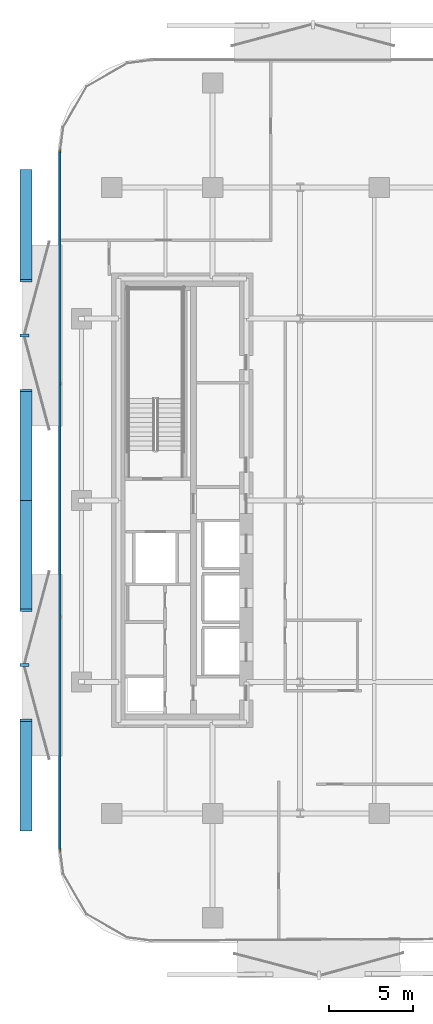
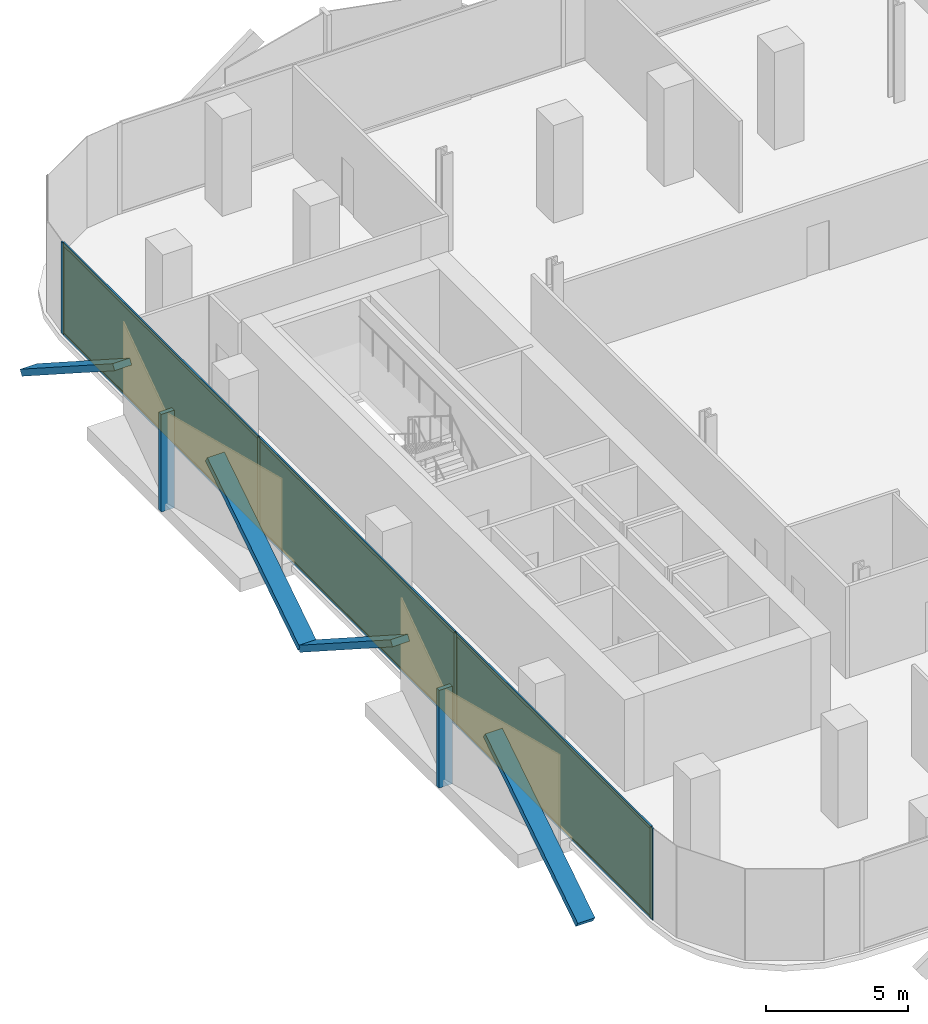
# One storey, part 8 of 15: 16 members, 3 plates, 1 curtain wall.
"""IFC4 building model written with IfcOpenShell, lengths in metres."""

from ifc_helpers import new_model, si_unit, direction, frame, frame_2d, origin, origin_2d, place, context, subcontext, project, spatial, rectangle, extrude, material, layer, layer_set, material_profile, profile_set, type_object, element, aggregate, save


model = new_model("IFC4")

# Units and contexts
model_context = context("Model", 3, precision=1e-05, world=origin(), true_north=direction((0.0, 1.0)))
body_context = subcontext(model_context, "Body", "Model", "MODEL_VIEW")
ifc_project = project(units=[si_unit("LENGTHUNIT", "METRE"), si_unit("AREAUNIT", "SQUARE_METRE"), si_unit("VOLUMEUNIT", "CUBIC_METRE"), si_unit("PLANEANGLEUNIT", "RADIAN"), si_unit("MASSUNIT", "GRAM", prefix="KILO")], contexts=[model_context])

# Member
ifc_material_1 = material(Name="Anodised Bronze Aluminium 6063-T6", Category="aluminium")
ifc_material_profile_1 = material_profile(ifc_material_1, rectangle(XDim=0.260009765625, YDim=0.699951171875, at=origin_2d()))
ifc_profile_set_1 = profile_set([ifc_material_profile_1], Name="Anodised Bronze Aluminium 6063-T6")
member_type_1 = type_object("IfcMemberType", Name="Bronze Diamond Solar-Screen Lattice Rib BDL-700", PredefinedType="MULLION", material=ifc_profile_set_1)
site_placement = place(None, origin())
building_placement = place(site_placement, origin())
storey_placement = place(building_placement, frame((0.0, 0.0, 143.60009765625)))
member_1_placement = place(storey_placement, frame((-25.5, -19.5908203125, -0.130126953125), z_axis=(0.0, 0.841066075866, 0.540932395062), x_axis=(0.0, -0.540932395062, 0.841066075866)))
member_1 = element("IfcMember", 1, at=member_1_placement, type_object=member_type_1, Name="L33 Bronze Diamond Solar Screen Lattice Rib 211A", PredefinedType="MULLION", context=body_context, shape_type="SweptSolid", body=[
    extrude(rectangle(XDim=0.260009765625, YDim=0.699951171875, at=origin_2d()), origin(), (0.0, 0.0, 1.0), 7.76416015625),
])

member_2_placement = place(storey_placement, frame((-25.5, 0.0, -0.130126953125), z_axis=(0.0, -0.841066075866, 0.540932395062), x_axis=(0.0, 0.540932395062, 0.841066075866)))
member_2 = element("IfcMember", 2, at=member_2_placement, type_object=member_type_1, Name="L33 Bronze Diamond Solar Screen Lattice Rib 211B", PredefinedType="MULLION", context=body_context, shape_type="SweptSolid", body=[
    extrude(rectangle(XDim=0.260009765625, YDim=0.699951171875, at=origin_2d()), origin(), (0.0, 0.0, 1.0), 7.76416015625),
])

member_3_placement = place(storey_placement, frame((-25.5, 0.0, -0.130126953125), z_axis=(0.0, 0.841066075866, 0.540932395062), x_axis=(0.0, -0.540932395062, 0.841066075866)))
member_3 = element("IfcMember", 3, at=member_3_placement, type_object=member_type_1, Name="L33 Bronze Diamond Solar Screen Lattice Rib 212A", PredefinedType="MULLION", context=body_context, shape_type="SweptSolid", body=[
    extrude(rectangle(XDim=0.260009765625, YDim=0.699951171875, at=origin_2d()), origin(), (0.0, 0.0, 1.0), 7.76416015625),
])

member_4_placement = place(storey_placement, frame((-25.5, 19.5908203125, -0.130126953125), z_axis=(0.0, -0.841066075866, 0.540932395062), x_axis=(0.0, 0.540932395062, 0.841066075866)))
member_4 = element("IfcMember", 4, at=member_4_placement, type_object=member_type_1, Name="L33 Bronze Diamond Solar Screen Lattice Rib 212B", PredefinedType="MULLION", context=body_context, shape_type="SweptSolid", body=[
    extrude(rectangle(XDim=0.260009765625, YDim=0.699951171875, at=origin_2d()), origin(), (0.0, 0.0, 1.0), 7.76416015625),
])

ifc_material_2 = material(Name="Anodised Bronze Aluminium 6063-T6", Category="aluminium")
ifc_material_profile_2 = material_profile(ifc_material_2, rectangle(XDim=0.179931640625, YDim=0.5400390625, at=origin_2d()))
ifc_profile_set_2 = profile_set([ifc_material_profile_2], Name="Anodised Bronze Aluminium 6063-T6")
member_type_2 = type_object("IfcMemberType", Name="Bronze Solar-Screen Vertical Fold Fin BSF-540", PredefinedType="MULLION", material=ifc_profile_set_2)
member_5_placement = place(storey_placement, frame((-25.580078125, -9.79541015625, -0.130126953125), z_axis=(0.0, 0.0, 1.0), x_axis=(0.0, 1.0, 0.0)))
member_5 = element("IfcMember", 5, at=member_5_placement, type_object=member_type_2, Name="L33 Bronze Solar Screen Vertical Fin 211", PredefinedType="MULLION", context=body_context, shape_type="SweptSolid", body=[
    extrude(rectangle(XDim=0.179931640625, YDim=0.5400390625, at=origin_2d()), origin(), (0.0, 0.0, 1.0), 4.199951171875),
])

member_6_placement = place(storey_placement, frame((-25.580078125, 9.79541015625, -0.130126953125), z_axis=(0.0, 0.0, 1.0), x_axis=(0.0, 1.0, 0.0)))
member_6 = element("IfcMember", 6, at=member_6_placement, type_object=member_type_2, Name="L33 Bronze Solar Screen Vertical Fin 212", PredefinedType="MULLION", context=body_context, shape_type="SweptSolid", body=[
    extrude(rectangle(XDim=0.179931640625, YDim=0.5400390625, at=origin_2d()), origin(), (0.0, 0.0, 1.0), 4.199951171875),
])

ifc_material_3 = material(Name="Anodised Bronze Aluminium 6063-T6", Category="aluminium")
ifc_material_profile_3 = material_profile(ifc_material_3, rectangle(XDim=0.06494140625, YDim=0.175048828125, at=origin_2d()))
ifc_profile_set_3 = profile_set([ifc_material_profile_3], Name="Anodised Bronze Aluminium 6063-T6")
member_type_3 = type_object("IfcMemberType", Name="CW-Z2 Mullion 65x175", PredefinedType="MULLION", material=ifc_profile_set_3)
member_7_placement = place(storey_placement, frame((-23.4599609375, -20.75830078125, 0.0), z_axis=(0.0, 0.0, 1.0), x_axis=(-1.0, 0.0, 0.0)))
member_7 = element("IfcMember", 7, at=member_7_placement, type_object=member_type_3, Name="CW-Z2 mullion 1", PredefinedType="MULLION", context=body_context, shape_type="SweptSolid", body=[
    extrude(rectangle(XDim=0.06494140625, YDim=0.175048828125, at=origin_2d()), origin(), (0.0, 0.0, 1.0), 3.93994140625),
])

member_8_placement = place(storey_placement, frame((-23.4599609375, -6.93017578125, 0.0), z_axis=(0.0, 0.0, 1.0), x_axis=(-1.0, 0.0, 0.0)))
member_8 = element("IfcMember", 8, at=member_8_placement, type_object=member_type_3, Name="CW-Z2 mullion 2", PredefinedType="MULLION", context=body_context, shape_type="SweptSolid", body=[
    extrude(rectangle(XDim=0.06494140625, YDim=0.175048828125, at=origin_2d()), origin(), (0.0, 0.0, 1.0), 3.93994140625),
])

member_9_placement = place(storey_placement, frame((-23.4599609375, 6.93017578125, 0.0), z_axis=(0.0, 0.0, 1.0), x_axis=(-1.0, 0.0, 0.0)))
member_9 = element("IfcMember", 9, at=member_9_placement, type_object=member_type_3, Name="CW-Z2 mullion 3", PredefinedType="MULLION", context=body_context, shape_type="SweptSolid", body=[
    extrude(rectangle(XDim=0.06494140625, YDim=0.175048828125, at=origin_2d()), origin(), (0.0, 0.0, 1.0), 3.93994140625),
])

member_10_placement = place(storey_placement, frame((-23.4599609375, 20.75830078125, 0.0), z_axis=(0.0, 0.0, 1.0), x_axis=(-1.0, 0.0, 0.0)))
member_10 = element("IfcMember", 10, at=member_10_placement, type_object=member_type_3, Name="CW-Z2 mullion 4", PredefinedType="MULLION", context=body_context, shape_type="SweptSolid", body=[
    extrude(rectangle(XDim=0.06494140625, YDim=0.175048828125, at=origin_2d()), origin(), (0.0, 0.0, 1.0), 3.93994140625),
])

ifc_material_4 = material(Name="Anodised Bronze Aluminium 6063-T6", Category="aluminium")
ifc_material_profile_4 = material_profile(ifc_material_4, rectangle(XDim=0.06494140625, YDim=0.135009765625, at=origin_2d()))
ifc_profile_set_4 = profile_set([ifc_material_profile_4], Name="Anodised Bronze Aluminium 6063-T6")
member_type_4 = type_object("IfcMemberType", Name="CW-Z2 Transom 65x135", PredefinedType="USERDEFINED", material=ifc_profile_set_4)
member_11_placement = place(storey_placement, frame((-23.4599609375, -20.725830078125, 0.032470703125), z_axis=(0.0, 1.0, 0.0), x_axis=(-1.0, 0.0, 0.0)))
member_11 = element("IfcMember", 11, at=member_11_placement, type_object=member_type_4, Name="CW-Z2 transom 1.1", ObjectType="TRANSOM", PredefinedType="USERDEFINED", context=body_context, shape_type="SweptSolid", body=[
    extrude(rectangle(XDim=0.06494140625, YDim=0.135009765625, at=origin_2d()), origin(), (0.0, 0.0, 1.0), 13.76318359375),
])

member_12_placement = place(storey_placement, frame((-23.4599609375, -20.725830078125, 3.907470703125), z_axis=(0.0, 1.0, 0.0), x_axis=(-1.0, 0.0, 0.0)))
member_12 = element("IfcMember", 12, at=member_12_placement, type_object=member_type_4, Name="CW-Z2 transom 1.2", ObjectType="TRANSOM", PredefinedType="USERDEFINED", context=body_context, shape_type="SweptSolid", body=[
    extrude(rectangle(XDim=0.06494140625, YDim=0.135009765625, at=origin_2d()), origin(), (0.0, 0.0, 1.0), 13.76318359375),
])

member_13_placement = place(storey_placement, frame((-23.4599609375, -6.897705078125, 0.032470703125), z_axis=(0.0, 1.0, 0.0), x_axis=(-1.0, 0.0, 0.0)))
member_13 = element("IfcMember", 13, at=member_13_placement, type_object=member_type_4, Name="CW-Z2 transom 2.1", ObjectType="TRANSOM", PredefinedType="USERDEFINED", context=body_context, shape_type="SweptSolid", body=[
    extrude(rectangle(XDim=0.06494140625, YDim=0.135009765625, at=origin_2d()), origin(), (0.0, 0.0, 1.0), 13.79541015625),
])

member_14_placement = place(storey_placement, frame((-23.4599609375, -6.897705078125, 3.907470703125), z_axis=(0.0, 1.0, 0.0), x_axis=(-1.0, 0.0, 0.0)))
member_14 = element("IfcMember", 14, at=member_14_placement, type_object=member_type_4, Name="CW-Z2 transom 2.2", ObjectType="TRANSOM", PredefinedType="USERDEFINED", context=body_context, shape_type="SweptSolid", body=[
    extrude(rectangle(XDim=0.06494140625, YDim=0.135009765625, at=origin_2d()), origin(), (0.0, 0.0, 1.0), 13.79541015625),
])

member_15_placement = place(storey_placement, frame((-23.4599609375, 6.962646484375, 0.032470703125), z_axis=(0.0, 1.0, 0.0), x_axis=(-1.0, 0.0, 0.0)))
member_15 = element("IfcMember", 15, at=member_15_placement, type_object=member_type_4, Name="CW-Z2 transom 3.1", ObjectType="TRANSOM", PredefinedType="USERDEFINED", context=body_context, shape_type="SweptSolid", body=[
    extrude(rectangle(XDim=0.06494140625, YDim=0.135009765625, at=origin_2d()), origin(), (0.0, 0.0, 1.0), 13.76318359375),
])

member_16_placement = place(storey_placement, frame((-23.4599609375, 6.962646484375, 3.907470703125), z_axis=(0.0, 1.0, 0.0), x_axis=(-1.0, 0.0, 0.0)))
member_16 = element("IfcMember", 16, at=member_16_placement, type_object=member_type_4, Name="CW-Z2 transom 3.2", ObjectType="TRANSOM", PredefinedType="USERDEFINED", context=body_context, shape_type="SweptSolid", body=[
    extrude(rectangle(XDim=0.06494140625, YDim=0.135009765625, at=origin_2d()), origin(), (0.0, 0.0, 1.0), 13.76318359375),
])

# Plate
ifc_material_5 = material(Name="Low-E Solar Control Laminated Glass", Category="glass")
ifc_layer_1 = layer(ifc_material_5, 0.028076171875, Name="Low-E Solar Control Laminated Glass")
ifc_layer_set_1 = layer_set([ifc_layer_1], Name="Low-E Solar Control Laminated Glass")
plate_type = type_object("IfcPlateType", Name="CW-Z2 Low-E Double Glazed Panel 28mm", PredefinedType="CURTAIN_PANEL", material=ifc_layer_set_1)
plate_1_placement = place(storey_placement, frame((-23.4599609375, -13.84423828125, 0.06494140625), z_axis=(0.0, 0.0, 1.0), x_axis=(0.0, 1.0, 0.0)))
plate_1 = element("IfcPlate", 17, at=plate_1_placement, type_object=plate_type, Name="CW-Z2 panel 1.1", PredefinedType="CURTAIN_PANEL", context=body_context, shape_type="SweptSolid", body=[
    extrude(rectangle(XDim=13.762939453125, YDim=0.028076171875, at=origin_2d()), origin(), (0.0, 0.0, 1.0), 3.81005859375),
])

plate_2_placement = place(storey_placement, frame((-23.4599609375, 0.0, 0.06494140625), z_axis=(0.0, 0.0, 1.0), x_axis=(0.0, 1.0, 0.0)))
plate_2 = element("IfcPlate", 18, at=plate_2_placement, type_object=plate_type, Name="CW-Z2 panel 2.1", PredefinedType="CURTAIN_PANEL", context=body_context, shape_type="SweptSolid", body=[
    extrude(rectangle(XDim=13.795654296875, YDim=0.028076171875, at=origin_2d()), origin(), (0.0, 0.0, 1.0), 3.81005859375),
])

plate_3_placement = place(storey_placement, frame((-23.4599609375, 13.84423828125, 0.06494140625), z_axis=(0.0, 0.0, 1.0), x_axis=(0.0, 1.0, 0.0)))
plate_3 = element("IfcPlate", 19, at=plate_3_placement, type_object=plate_type, Name="CW-Z2 panel 3.1", PredefinedType="CURTAIN_PANEL", context=body_context, shape_type="SweptSolid", body=[
    extrude(rectangle(XDim=13.762939453125, YDim=0.028076171875, at=origin_2d()), origin(), (0.0, 0.0, 1.0), 3.81005859375),
])

# Site, building, storey
site = spatial("IfcSite", under=ifc_project, at=site_placement, CompositionType="ELEMENT")
building = spatial("IfcBuilding", under=site, at=building_placement, Name="Khairoan Windgate Tower", CompositionType="ELEMENT")
storey = spatial("IfcBuildingStorey", under=building, at=storey_placement, Name="L33", CompositionType="ELEMENT", Elevation=143.60009765625)

# Curtain wall
ifc_material_6 = material(Name="Anodised Bronze Aluminium 6063-T6", Category="aluminium")
ifc_layer_2 = layer(ifc_material_6, 0.175048828125, Name="Anodised Bronze Aluminium 6063-T6")
ifc_layer_set_2 = layer_set([ifc_layer_2], Name="Anodised Bronze Aluminium 6063-T6")
curtain_wall_type = type_object("IfcCurtainWallType", Name="Mid-Rise Office Unitised Curtain Wall CW-Z2", PredefinedType="NOTDEFINED", material=ifc_layer_set_2)
curtain_wall_placement = place(storey_placement, frame((-23.4599609375, -20.790771484375, 0.0), z_axis=(0.0, 0.0, 1.0), x_axis=(0.0, 1.0, 0.0)))
curtain_wall = element("IfcCurtainWall", 20, at=curtain_wall_placement, inside=storey, type_object=curtain_wall_type, Name="L33 Unitised Curtain Wall 6", PredefinedType="NOTDEFINED", context=body_context, shape_type="SweptSolid", body=[
    extrude(rectangle(XDim=41.58154296875, YDim=0.010009765625, at=frame_2d((20.790771484375, 0.0))), origin(), (0.0, 0.0, 1.0), 3.93994140625),
])

aggregate(curtain_wall, [member_7, member_8, member_9, member_10, member_11, member_12, plate_1, member_13, member_14, plate_2, member_15, member_16, plate_3, member_1, member_2, member_5, member_3, member_4, member_6])

save(model, "model.ifc")
